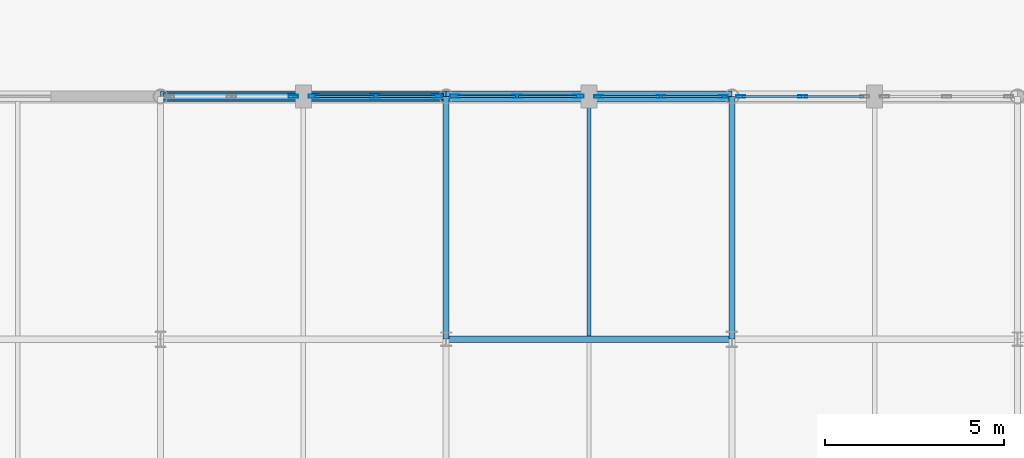
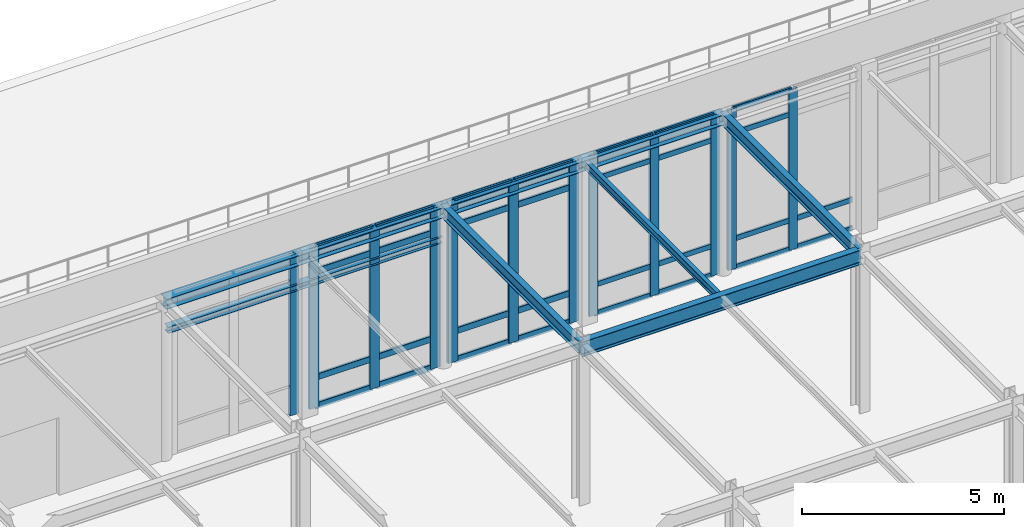
# One storey, part 47 of 113: 42 members, 7 beams, 5 elements without a shape of their own.
"""IFC4 building model written with IfcOpenShell, lengths in metres."""

from ifc_helpers import new_model, si_unit, direction, frame, origin, origin_2d, place, context, subcontext, project, spatial, hollow_rectangle, i_section, extrude, material, layer, layer_set, material_profile, profile_set, type_object, element, aggregate, save


model = new_model("IFC4")

# Units and contexts
model_context = context("Model", 3, precision=1e-05, world=origin(), true_north=direction((0.0, 1.0)))
body_context = subcontext(model_context, "Body", "Model", "MODEL_VIEW")
ifc_project = project(units=[si_unit("LENGTHUNIT", "METRE"), si_unit("AREAUNIT", "SQUARE_METRE"), si_unit("VOLUMEUNIT", "CUBIC_METRE"), si_unit("PLANEANGLEUNIT", "RADIAN"), si_unit("MASSUNIT", "GRAM", prefix="KILO")], contexts=[model_context])

# Site, building, storey
site_placement = place(None, origin())
site = spatial("IfcSite", under=ifc_project, at=site_placement, CompositionType="ELEMENT")
building_placement = place(site_placement, origin())
building = spatial("IfcBuilding", under=site, at=building_placement, Name="Shalkamar Park Central Library", CompositionType="ELEMENT")
storey_placement = place(building_placement, frame((0.0, 0.0, 5.39990234375)))
storey = spatial("IfcBuildingStorey", under=building, at=storey_placement, Name="L02", CompositionType="ELEMENT", Elevation=5.39990234375)

# Beam
ifc_material_1 = material(Name="Steel S355", Category="steel")
ifc_material_profile_1 = material_profile(ifc_material_1, i_section(OverallWidth=0.1201171875, OverallDepth=0.239990234375, WebThickness=0.006103515625, FlangeThickness=0.009765625, FilletRadius=0.014892578125, at=origin_2d()), Name="IPE 240")
ifc_profile_set_1 = profile_set([ifc_material_profile_1], Name="Steel S355")
beam_type_1 = type_object("IfcBeamType", Name="Composite Floor Joist IPE240", PredefinedType="JOIST", material=ifc_profile_set_1)
beam_1_placement = place(storey_placement, frame((193.0, 331.29296875, 4.72998046875), z_axis=(0.0, 1.0, 0.0), x_axis=(-1.0, 0.0, 0.0)))
element("IfcBeam", 1, at=beam_1_placement, inside=storey, type_object=beam_type_1, Name="Composite Joist 10/N-1 (L02)", PredefinedType="JOIST", context=body_context, shape_type="SweptSolid", body=[
    extrude(i_section(OverallWidth=0.1201171875, OverallDepth=0.239990234375, WebThickness=0.006103515625, FlangeThickness=0.009765625, FilletRadius=0.014892578125, at=origin_2d()), origin(), (0.0, 0.0, 1.0), 6.55908203125),
])

# Curtain wall, members
ifc_material_2 = material(Name="Thermally broken aluminium and triple low-e curtain wall", Category="aluminium")
ifc_layer_1 = layer(ifc_material_2, 0.25)
ifc_layer_set_1 = layer_set([ifc_layer_1], Name="UnitisedCurtainWall_28")
curtain_wall_type_1 = type_object("IfcCurtainWallType", Name="Unitised Curtain Wall 28", PredefinedType="USERDEFINED", material=ifc_layer_set_1)
curtain_wall_1_placement = place(storey_placement, origin())
curtain_wall_1 = element("IfcCurtainWall", 2, at=curtain_wall_1_placement, inside=storey, type_object=curtain_wall_type_1, Name="Unitised Curtain Wall CW-L02-031", ObjectType="UNITISED CURTAIN WALL", PredefinedType="USERDEFINED")
ifc_material_3 = material(Name="Aluminium 6060-T66", Category="aluminium")
ifc_material_profile_2 = material_profile(ifc_material_3, hollow_rectangle(XDim=0.074951171875, YDim=0.25, WallThickness=0.00390625, InnerFilletRadius=0.00390625, OuterFilletRadius=0.006103515625, at=origin_2d()), Name="ALU 75x250x4")
ifc_profile_set_2 = profile_set([ifc_material_profile_2], Name="Aluminium 6060-T66")
member_type_1 = type_object("IfcMemberType", Name="Curtain Wall Mullion ALU75x250", PredefinedType="MULLION", material=ifc_profile_set_2)
member_1_placement = place(storey_placement, frame((193.277587890625, 338.0, 0.0), z_axis=(0.0, 0.0, 1.0), x_axis=(0.0, 1.0, 0.0)))
member_1 = element("IfcMember", 3, at=member_1_placement, type_object=member_type_1, Name="CW-28 mullion 1", PredefinedType="MULLION", context=body_context, shape_type="SweptSolid", body=[
    extrude(hollow_rectangle(XDim=0.074951171875, YDim=0.25, WallThickness=0.00390625, InnerFilletRadius=0.00390625, OuterFilletRadius=0.006103515625, at=origin_2d()), origin(), (0.0, 0.0, 1.0), 4.85009765625),
])
member_2_placement = place(storey_placement, frame((195.016357421875, 338.0, 0.0), z_axis=(0.0, 0.0, 1.0), x_axis=(0.0, 1.0, 0.0)))
member_2 = element("IfcMember", 4, at=member_2_placement, type_object=member_type_1, Name="CW-28 mullion 2", PredefinedType="MULLION", context=body_context, shape_type="SweptSolid", body=[
    extrude(hollow_rectangle(XDim=0.074951171875, YDim=0.25, WallThickness=0.00390625, InnerFilletRadius=0.00390625, OuterFilletRadius=0.006103515625, at=origin_2d()), origin(), (0.0, 0.0, 1.0), 4.85009765625),
])
member_3_placement = place(storey_placement, frame((196.75537109375, 338.0, 0.0), z_axis=(0.0, 0.0, 1.0), x_axis=(0.0, 1.0, 0.0)))
member_3 = element("IfcMember", 5, at=member_3_placement, type_object=member_type_1, Name="CW-28 mullion 3", PredefinedType="MULLION", context=body_context, shape_type="SweptSolid", body=[
    extrude(hollow_rectangle(XDim=0.074951171875, YDim=0.25, WallThickness=0.00390625, InnerFilletRadius=0.00390625, OuterFilletRadius=0.006103515625, at=origin_2d()), origin(), (0.0, 0.0, 1.0), 4.85009765625),
])

curtain_wall_2_placement = place(storey_placement, origin())
curtain_wall_2 = element("IfcCurtainWall", 6, at=curtain_wall_2_placement, inside=storey, type_object=curtain_wall_type_1, Name="Unitised Curtain Wall CW-L02-032", ObjectType="UNITISED CURTAIN WALL", PredefinedType="USERDEFINED")
member_4_placement = place(storey_placement, frame((197.24462890625, 338.0, 0.0), z_axis=(0.0, 0.0, 1.0), x_axis=(0.0, 1.0, 0.0)))
member_4 = element("IfcMember", 7, at=member_4_placement, type_object=member_type_1, Name="CW-28 mullion 1", PredefinedType="MULLION", context=body_context, shape_type="SweptSolid", body=[
    extrude(hollow_rectangle(XDim=0.074951171875, YDim=0.25, WallThickness=0.00390625, InnerFilletRadius=0.00390625, OuterFilletRadius=0.006103515625, at=origin_2d()), origin(), (0.0, 0.0, 1.0), 4.85009765625),
])
member_5_placement = place(storey_placement, frame((198.983642578125, 338.0, 0.0), z_axis=(0.0, 0.0, 1.0), x_axis=(0.0, 1.0, 0.0)))
member_5 = element("IfcMember", 8, at=member_5_placement, type_object=member_type_1, Name="CW-28 mullion 2", PredefinedType="MULLION", context=body_context, shape_type="SweptSolid", body=[
    extrude(hollow_rectangle(XDim=0.074951171875, YDim=0.25, WallThickness=0.00390625, InnerFilletRadius=0.00390625, OuterFilletRadius=0.006103515625, at=origin_2d()), origin(), (0.0, 0.0, 1.0), 4.85009765625),
])

# Curtain wall, member
ifc_layer_2 = layer(ifc_material_2, 0.264892578125)
ifc_layer_set_2 = layer_set([ifc_layer_2], Name="UnitisedCurtainWall_26")
curtain_wall_type_2 = type_object("IfcCurtainWallType", Name="Unitised Curtain Wall 26", PredefinedType="USERDEFINED", material=ifc_layer_set_2)
curtain_wall_3_placement = place(storey_placement, origin())
curtain_wall_3 = element("IfcCurtainWall", 9, at=curtain_wall_3_placement, inside=storey, type_object=curtain_wall_type_2, Name="Unitised Curtain Wall CW-L02-028", ObjectType="UNITISED CURTAIN WALL", PredefinedType="USERDEFINED")
ifc_material_profile_3 = material_profile(ifc_material_3, hollow_rectangle(XDim=0.0849609375, YDim=0.264892578125, WallThickness=0.0048828125, InnerFilletRadius=0.0048828125, OuterFilletRadius=0.007568359375, at=origin_2d()), Name="ALU 85x265x5")
ifc_profile_set_3 = profile_set([ifc_material_profile_3], Name="Aluminium 6060-T66")
member_type_2 = type_object("IfcMemberType", Name="Curtain Wall Mullion ALU85x265", PredefinedType="MULLION", material=ifc_profile_set_3)
member_6_placement = place(storey_placement, frame((184.717529296875, 338.0, 0.0), z_axis=(0.0, 0.0, 1.0), x_axis=(0.0, 1.0, 0.0)))
member_6 = element("IfcMember", 10, at=member_6_placement, type_object=member_type_2, Name="CW-26 mullion 3", PredefinedType="MULLION", context=body_context, shape_type="SweptSolid", body=[
    extrude(hollow_rectangle(XDim=0.0849609375, YDim=0.264892578125, WallThickness=0.0048828125, InnerFilletRadius=0.0048828125, OuterFilletRadius=0.007568359375, at=origin_2d()), origin(), (0.0, 0.0, 1.0), 4.85009765625),
])
aggregate(curtain_wall_3, [member_6])

# Curtain wall, members
ifc_layer_3 = layer(ifc_material_2, 0.280029296875)
ifc_layer_set_3 = layer_set([ifc_layer_3], Name="UnitisedCurtainWall_27")
curtain_wall_type_3 = type_object("IfcCurtainWallType", Name="Unitised Curtain Wall 27", PredefinedType="USERDEFINED", material=ifc_layer_set_3)
curtain_wall_4_placement = place(storey_placement, origin())
curtain_wall_4 = element("IfcCurtainWall", 11, at=curtain_wall_4_placement, inside=storey, type_object=curtain_wall_type_3, Name="Unitised Curtain Wall CW-L02-029", ObjectType="UNITISED CURTAIN WALL", PredefinedType="USERDEFINED")
ifc_material_profile_4 = material_profile(ifc_material_3, hollow_rectangle(XDim=0.090087890625, YDim=0.280029296875, WallThickness=0.0048828125, InnerFilletRadius=0.0048828125, OuterFilletRadius=0.007568359375, at=origin_2d()), Name="ALU 90x280x5")
ifc_profile_set_4 = profile_set([ifc_material_profile_4], Name="Aluminium 6060-T66")
member_type_3 = type_object("IfcMemberType", Name="Curtain Wall Mullion ALU90x280", PredefinedType="MULLION", material=ifc_profile_set_4)
member_7_placement = place(storey_placement, frame((185.284912109375, 338.0, 0.0), z_axis=(0.0, 0.0, 1.0), x_axis=(0.0, 1.0, 0.0)))
member_7 = element("IfcMember", 12, at=member_7_placement, type_object=member_type_3, Name="CW-27 mullion 1", PredefinedType="MULLION", context=body_context, shape_type="SweptSolid", body=[
    extrude(hollow_rectangle(XDim=0.090087890625, YDim=0.280029296875, WallThickness=0.0048828125, InnerFilletRadius=0.0048828125, OuterFilletRadius=0.007568359375, at=origin_2d()), origin(), (0.0, 0.0, 1.0), 4.85009765625),
])
member_8_placement = place(storey_placement, frame((187.016357421875, 338.0, 0.0), z_axis=(0.0, 0.0, 1.0), x_axis=(0.0, 1.0, 0.0)))
member_8 = element("IfcMember", 13, at=member_8_placement, type_object=member_type_3, Name="CW-27 mullion 2", PredefinedType="MULLION", context=body_context, shape_type="SweptSolid", body=[
    extrude(hollow_rectangle(XDim=0.090087890625, YDim=0.280029296875, WallThickness=0.0048828125, InnerFilletRadius=0.0048828125, OuterFilletRadius=0.007568359375, at=origin_2d()), origin(), (0.0, 0.0, 1.0), 4.85009765625),
])
member_9_placement = place(storey_placement, frame((188.747802734375, 338.0, 0.0), z_axis=(0.0, 0.0, 1.0), x_axis=(0.0, 1.0, 0.0)))
member_9 = element("IfcMember", 14, at=member_9_placement, type_object=member_type_3, Name="CW-27 mullion 3", PredefinedType="MULLION", context=body_context, shape_type="SweptSolid", body=[
    extrude(hollow_rectangle(XDim=0.090087890625, YDim=0.280029296875, WallThickness=0.0048828125, InnerFilletRadius=0.0048828125, OuterFilletRadius=0.007568359375, at=origin_2d()), origin(), (0.0, 0.0, 1.0), 4.85009765625),
])

curtain_wall_5_placement = place(storey_placement, origin())
curtain_wall_5 = element("IfcCurtainWall", 15, at=curtain_wall_5_placement, inside=storey, type_object=curtain_wall_type_3, Name="Unitised Curtain Wall CW-L02-030", ObjectType="UNITISED CURTAIN WALL", PredefinedType="USERDEFINED")
member_10_placement = place(storey_placement, frame((189.252197265625, 338.0, 0.0), z_axis=(0.0, 0.0, 1.0), x_axis=(0.0, 1.0, 0.0)))
member_10 = element("IfcMember", 16, at=member_10_placement, type_object=member_type_3, Name="CW-27 mullion 1", PredefinedType="MULLION", context=body_context, shape_type="SweptSolid", body=[
    extrude(hollow_rectangle(XDim=0.090087890625, YDim=0.280029296875, WallThickness=0.0048828125, InnerFilletRadius=0.0048828125, OuterFilletRadius=0.007568359375, at=origin_2d()), origin(), (0.0, 0.0, 1.0), 4.85009765625),
])
member_11_placement = place(storey_placement, frame((190.983642578125, 338.0, 0.0), z_axis=(0.0, 0.0, 1.0), x_axis=(0.0, 1.0, 0.0)))
member_11 = element("IfcMember", 17, at=member_11_placement, type_object=member_type_3, Name="CW-27 mullion 2", PredefinedType="MULLION", context=body_context, shape_type="SweptSolid", body=[
    extrude(hollow_rectangle(XDim=0.090087890625, YDim=0.280029296875, WallThickness=0.0048828125, InnerFilletRadius=0.0048828125, OuterFilletRadius=0.007568359375, at=origin_2d()), origin(), (0.0, 0.0, 1.0), 4.85009765625),
])
member_12_placement = place(storey_placement, frame((192.715087890625, 338.0, 0.0), z_axis=(0.0, 0.0, 1.0), x_axis=(0.0, 1.0, 0.0)))
member_12 = element("IfcMember", 18, at=member_12_placement, type_object=member_type_3, Name="CW-27 mullion 3", PredefinedType="MULLION", context=body_context, shape_type="SweptSolid", body=[
    extrude(hollow_rectangle(XDim=0.090087890625, YDim=0.280029296875, WallThickness=0.0048828125, InnerFilletRadius=0.0048828125, OuterFilletRadius=0.007568359375, at=origin_2d()), origin(), (0.0, 0.0, 1.0), 4.85009765625),
])

# Member
ifc_material_profile_5 = material_profile(ifc_material_3, hollow_rectangle(XDim=0.06005859375, YDim=0.159912109375, WallThickness=0.00390625, InnerFilletRadius=0.00390625, OuterFilletRadius=0.006103515625, at=origin_2d()), Name="ALU 60x160x4")
ifc_profile_set_5 = profile_set([ifc_material_profile_5], Name="Aluminium 6060-T66")
member_type_4 = type_object("IfcMemberType", Name="Curtain Wall Transom ALU60x160", PredefinedType="USERDEFINED", material=ifc_profile_set_5)
member_13_placement = place(storey_placement, frame((193.31494140625, 338.0, 0.030029296875), z_axis=(1.0, 0.0, 0.0), x_axis=(0.0, 1.0, 0.0)))
member_13 = element("IfcMember", 19, at=member_13_placement, type_object=member_type_4, Name="CW-28 transom 1.1", ObjectType="TRANSOM", PredefinedType="USERDEFINED", context=body_context, shape_type="SweptSolid", body=[
    extrude(hollow_rectangle(XDim=0.06005859375, YDim=0.159912109375, WallThickness=0.00390625, InnerFilletRadius=0.00390625, OuterFilletRadius=0.006103515625, at=origin_2d()), origin(), (0.0, 0.0, 1.0), 1.6640625),
])

member_14_placement = place(storey_placement, frame((193.31494140625, 338.0, 0.900146484375), z_axis=(1.0, 0.0, 0.0), x_axis=(0.0, 1.0, 0.0)))
member_14 = element("IfcMember", 20, at=member_14_placement, type_object=member_type_4, Name="CW-28 transom 1.2", ObjectType="TRANSOM", PredefinedType="USERDEFINED", context=body_context, shape_type="SweptSolid", body=[
    extrude(hollow_rectangle(XDim=0.06005859375, YDim=0.159912109375, WallThickness=0.00390625, InnerFilletRadius=0.00390625, OuterFilletRadius=0.006103515625, at=origin_2d()), origin(), (0.0, 0.0, 1.0), 1.6640625),
])

member_15_placement = place(storey_placement, frame((193.31494140625, 338.0, 4.10009765625), z_axis=(1.0, 0.0, 0.0), x_axis=(0.0, 1.0, 0.0)))
member_15 = element("IfcMember", 21, at=member_15_placement, type_object=member_type_4, Name="CW-28 transom 1.3", ObjectType="TRANSOM", PredefinedType="USERDEFINED", context=body_context, shape_type="SweptSolid", body=[
    extrude(hollow_rectangle(XDim=0.06005859375, YDim=0.159912109375, WallThickness=0.00390625, InnerFilletRadius=0.00390625, OuterFilletRadius=0.006103515625, at=origin_2d()), origin(), (0.0, 0.0, 1.0), 1.6640625),
])

member_16_placement = place(storey_placement, frame((193.31494140625, 338.0, 4.820068359375), z_axis=(1.0, 0.0, 0.0), x_axis=(0.0, 1.0, 0.0)))
member_16 = element("IfcMember", 22, at=member_16_placement, type_object=member_type_4, Name="CW-28 transom 1.4", ObjectType="TRANSOM", PredefinedType="USERDEFINED", context=body_context, shape_type="SweptSolid", body=[
    extrude(hollow_rectangle(XDim=0.06005859375, YDim=0.159912109375, WallThickness=0.00390625, InnerFilletRadius=0.00390625, OuterFilletRadius=0.006103515625, at=origin_2d()), origin(), (0.0, 0.0, 1.0), 1.6640625),
])

member_17_placement = place(storey_placement, frame((195.053955078125, 338.0, 0.030029296875), z_axis=(1.0, 0.0, 0.0), x_axis=(0.0, 1.0, 0.0)))
member_17 = element("IfcMember", 23, at=member_17_placement, type_object=member_type_4, Name="CW-28 transom 2.1", ObjectType="TRANSOM", PredefinedType="USERDEFINED", context=body_context, shape_type="SweptSolid", body=[
    extrude(hollow_rectangle(XDim=0.06005859375, YDim=0.159912109375, WallThickness=0.00390625, InnerFilletRadius=0.00390625, OuterFilletRadius=0.006103515625, at=origin_2d()), origin(), (0.0, 0.0, 1.0), 1.663818359375),
])

member_18_placement = place(storey_placement, frame((195.053955078125, 338.0, 0.900146484375), z_axis=(1.0, 0.0, 0.0), x_axis=(0.0, 1.0, 0.0)))
member_18 = element("IfcMember", 24, at=member_18_placement, type_object=member_type_4, Name="CW-28 transom 2.2", ObjectType="TRANSOM", PredefinedType="USERDEFINED", context=body_context, shape_type="SweptSolid", body=[
    extrude(hollow_rectangle(XDim=0.06005859375, YDim=0.159912109375, WallThickness=0.00390625, InnerFilletRadius=0.00390625, OuterFilletRadius=0.006103515625, at=origin_2d()), origin(), (0.0, 0.0, 1.0), 1.663818359375),
])

member_19_placement = place(storey_placement, frame((195.053955078125, 338.0, 4.10009765625), z_axis=(1.0, 0.0, 0.0), x_axis=(0.0, 1.0, 0.0)))
member_19 = element("IfcMember", 25, at=member_19_placement, type_object=member_type_4, Name="CW-28 transom 2.3", ObjectType="TRANSOM", PredefinedType="USERDEFINED", context=body_context, shape_type="SweptSolid", body=[
    extrude(hollow_rectangle(XDim=0.06005859375, YDim=0.159912109375, WallThickness=0.00390625, InnerFilletRadius=0.00390625, OuterFilletRadius=0.006103515625, at=origin_2d()), origin(), (0.0, 0.0, 1.0), 1.663818359375),
])

member_20_placement = place(storey_placement, frame((195.053955078125, 338.0, 4.820068359375), z_axis=(1.0, 0.0, 0.0), x_axis=(0.0, 1.0, 0.0)))
member_20 = element("IfcMember", 26, at=member_20_placement, type_object=member_type_4, Name="CW-28 transom 2.4", ObjectType="TRANSOM", PredefinedType="USERDEFINED", context=body_context, shape_type="SweptSolid", body=[
    extrude(hollow_rectangle(XDim=0.06005859375, YDim=0.159912109375, WallThickness=0.00390625, InnerFilletRadius=0.00390625, OuterFilletRadius=0.006103515625, at=origin_2d()), origin(), (0.0, 0.0, 1.0), 1.663818359375),
])

aggregate(curtain_wall_1, [member_1, member_2, member_3, member_13, member_14, member_15, member_16, member_17, member_18, member_19, member_20])

member_21_placement = place(storey_placement, frame((197.2822265625, 338.0, 0.030029296875), z_axis=(1.0, 0.0, 0.0), x_axis=(0.0, 1.0, 0.0)))
member_21 = element("IfcMember", 27, at=member_21_placement, type_object=member_type_4, Name="CW-28 transom 1.1", ObjectType="TRANSOM", PredefinedType="USERDEFINED", context=body_context, shape_type="SweptSolid", body=[
    extrude(hollow_rectangle(XDim=0.06005859375, YDim=0.159912109375, WallThickness=0.00390625, InnerFilletRadius=0.00390625, OuterFilletRadius=0.006103515625, at=origin_2d()), origin(), (0.0, 0.0, 1.0), 1.663818359375),
])

member_22_placement = place(storey_placement, frame((197.2822265625, 338.0, 0.900146484375), z_axis=(1.0, 0.0, 0.0), x_axis=(0.0, 1.0, 0.0)))
member_22 = element("IfcMember", 28, at=member_22_placement, type_object=member_type_4, Name="CW-28 transom 1.2", ObjectType="TRANSOM", PredefinedType="USERDEFINED", context=body_context, shape_type="SweptSolid", body=[
    extrude(hollow_rectangle(XDim=0.06005859375, YDim=0.159912109375, WallThickness=0.00390625, InnerFilletRadius=0.00390625, OuterFilletRadius=0.006103515625, at=origin_2d()), origin(), (0.0, 0.0, 1.0), 1.663818359375),
])

member_23_placement = place(storey_placement, frame((197.2822265625, 338.0, 4.10009765625), z_axis=(1.0, 0.0, 0.0), x_axis=(0.0, 1.0, 0.0)))
member_23 = element("IfcMember", 29, at=member_23_placement, type_object=member_type_4, Name="CW-28 transom 1.3", ObjectType="TRANSOM", PredefinedType="USERDEFINED", context=body_context, shape_type="SweptSolid", body=[
    extrude(hollow_rectangle(XDim=0.06005859375, YDim=0.159912109375, WallThickness=0.00390625, InnerFilletRadius=0.00390625, OuterFilletRadius=0.006103515625, at=origin_2d()), origin(), (0.0, 0.0, 1.0), 1.663818359375),
])

member_24_placement = place(storey_placement, frame((197.2822265625, 338.0, 4.820068359375), z_axis=(1.0, 0.0, 0.0), x_axis=(0.0, 1.0, 0.0)))
member_24 = element("IfcMember", 30, at=member_24_placement, type_object=member_type_4, Name="CW-28 transom 1.4", ObjectType="TRANSOM", PredefinedType="USERDEFINED", context=body_context, shape_type="SweptSolid", body=[
    extrude(hollow_rectangle(XDim=0.06005859375, YDim=0.159912109375, WallThickness=0.00390625, InnerFilletRadius=0.00390625, OuterFilletRadius=0.006103515625, at=origin_2d()), origin(), (0.0, 0.0, 1.0), 1.663818359375),
])

member_25_placement = place(storey_placement, frame((199.02099609375, 338.0, 0.030029296875), z_axis=(1.0, 0.0, 0.0), x_axis=(0.0, 1.0, 0.0)))
member_25 = element("IfcMember", 31, at=member_25_placement, type_object=member_type_4, Name="CW-28 transom 2.1", ObjectType="TRANSOM", PredefinedType="USERDEFINED", context=body_context, shape_type="SweptSolid", body=[
    extrude(hollow_rectangle(XDim=0.06005859375, YDim=0.159912109375, WallThickness=0.00390625, InnerFilletRadius=0.00390625, OuterFilletRadius=0.006103515625, at=origin_2d()), origin(), (0.0, 0.0, 1.0), 1.6640625),
])

member_26_placement = place(storey_placement, frame((199.02099609375, 338.0, 0.900146484375), z_axis=(1.0, 0.0, 0.0), x_axis=(0.0, 1.0, 0.0)))
member_26 = element("IfcMember", 32, at=member_26_placement, type_object=member_type_4, Name="CW-28 transom 2.2", ObjectType="TRANSOM", PredefinedType="USERDEFINED", context=body_context, shape_type="SweptSolid", body=[
    extrude(hollow_rectangle(XDim=0.06005859375, YDim=0.159912109375, WallThickness=0.00390625, InnerFilletRadius=0.00390625, OuterFilletRadius=0.006103515625, at=origin_2d()), origin(), (0.0, 0.0, 1.0), 1.6640625),
])

aggregate(curtain_wall_2, [member_4, member_5, member_21, member_22, member_23, member_24, member_25, member_26])

ifc_material_profile_6 = material_profile(ifc_material_3, hollow_rectangle(XDim=0.070068359375, YDim=0.18994140625, WallThickness=0.0048828125, InnerFilletRadius=0.0048828125, OuterFilletRadius=0.007568359375, at=origin_2d()), Name="ALU 70x190x5")
ifc_profile_set_6 = profile_set([ifc_material_profile_6], Name="Aluminium 6060-T66")
member_type_5 = type_object("IfcMemberType", Name="Curtain Wall Transom ALU70x190", PredefinedType="USERDEFINED", material=ifc_profile_set_6)
member_27_placement = place(storey_placement, frame((185.330078125, 338.0, 0.03515625), z_axis=(1.0, 0.0, 0.0), x_axis=(0.0, 1.0, 0.0)))
member_27 = element("IfcMember", 33, at=member_27_placement, type_object=member_type_5, Name="CW-27 transom 1.1", ObjectType="TRANSOM", PredefinedType="USERDEFINED", context=body_context, shape_type="SweptSolid", body=[
    extrude(hollow_rectangle(XDim=0.070068359375, YDim=0.18994140625, WallThickness=0.0048828125, InnerFilletRadius=0.0048828125, OuterFilletRadius=0.007568359375, at=origin_2d()), origin(), (0.0, 0.0, 1.0), 1.641357421875),
])

member_28_placement = place(storey_placement, frame((185.330078125, 338.0, 0.900146484375), z_axis=(1.0, 0.0, 0.0), x_axis=(0.0, 1.0, 0.0)))
member_28 = element("IfcMember", 34, at=member_28_placement, type_object=member_type_5, Name="CW-27 transom 1.2", ObjectType="TRANSOM", PredefinedType="USERDEFINED", context=body_context, shape_type="SweptSolid", body=[
    extrude(hollow_rectangle(XDim=0.070068359375, YDim=0.18994140625, WallThickness=0.0048828125, InnerFilletRadius=0.0048828125, OuterFilletRadius=0.007568359375, at=origin_2d()), origin(), (0.0, 0.0, 1.0), 1.641357421875),
])

member_29_placement = place(storey_placement, frame((185.330078125, 338.0, 4.10009765625), z_axis=(1.0, 0.0, 0.0), x_axis=(0.0, 1.0, 0.0)))
member_29 = element("IfcMember", 35, at=member_29_placement, type_object=member_type_5, Name="CW-27 transom 1.3", ObjectType="TRANSOM", PredefinedType="USERDEFINED", context=body_context, shape_type="SweptSolid", body=[
    extrude(hollow_rectangle(XDim=0.070068359375, YDim=0.18994140625, WallThickness=0.0048828125, InnerFilletRadius=0.0048828125, OuterFilletRadius=0.007568359375, at=origin_2d()), origin(), (0.0, 0.0, 1.0), 1.641357421875),
])

member_30_placement = place(storey_placement, frame((185.330078125, 338.0, 4.815185546875), z_axis=(1.0, 0.0, 0.0), x_axis=(0.0, 1.0, 0.0)))
member_30 = element("IfcMember", 36, at=member_30_placement, type_object=member_type_5, Name="CW-27 transom 1.4", ObjectType="TRANSOM", PredefinedType="USERDEFINED", context=body_context, shape_type="SweptSolid", body=[
    extrude(hollow_rectangle(XDim=0.070068359375, YDim=0.18994140625, WallThickness=0.0048828125, InnerFilletRadius=0.0048828125, OuterFilletRadius=0.007568359375, at=origin_2d()), origin(), (0.0, 0.0, 1.0), 1.641357421875),
])

member_31_placement = place(storey_placement, frame((187.061279296875, 338.0, 0.03515625), z_axis=(1.0, 0.0, 0.0), x_axis=(0.0, 1.0, 0.0)))
member_31 = element("IfcMember", 37, at=member_31_placement, type_object=member_type_5, Name="CW-27 transom 2.1", ObjectType="TRANSOM", PredefinedType="USERDEFINED", context=body_context, shape_type="SweptSolid", body=[
    extrude(hollow_rectangle(XDim=0.070068359375, YDim=0.18994140625, WallThickness=0.0048828125, InnerFilletRadius=0.0048828125, OuterFilletRadius=0.007568359375, at=origin_2d()), origin(), (0.0, 0.0, 1.0), 1.6416015625),
])

member_32_placement = place(storey_placement, frame((187.061279296875, 338.0, 0.900146484375), z_axis=(1.0, 0.0, 0.0), x_axis=(0.0, 1.0, 0.0)))
member_32 = element("IfcMember", 38, at=member_32_placement, type_object=member_type_5, Name="CW-27 transom 2.2", ObjectType="TRANSOM", PredefinedType="USERDEFINED", context=body_context, shape_type="SweptSolid", body=[
    extrude(hollow_rectangle(XDim=0.070068359375, YDim=0.18994140625, WallThickness=0.0048828125, InnerFilletRadius=0.0048828125, OuterFilletRadius=0.007568359375, at=origin_2d()), origin(), (0.0, 0.0, 1.0), 1.6416015625),
])

member_33_placement = place(storey_placement, frame((187.061279296875, 338.0, 4.10009765625), z_axis=(1.0, 0.0, 0.0), x_axis=(0.0, 1.0, 0.0)))
member_33 = element("IfcMember", 39, at=member_33_placement, type_object=member_type_5, Name="CW-27 transom 2.3", ObjectType="TRANSOM", PredefinedType="USERDEFINED", context=body_context, shape_type="SweptSolid", body=[
    extrude(hollow_rectangle(XDim=0.070068359375, YDim=0.18994140625, WallThickness=0.0048828125, InnerFilletRadius=0.0048828125, OuterFilletRadius=0.007568359375, at=origin_2d()), origin(), (0.0, 0.0, 1.0), 1.6416015625),
])

member_34_placement = place(storey_placement, frame((187.061279296875, 338.0, 4.815185546875), z_axis=(1.0, 0.0, 0.0), x_axis=(0.0, 1.0, 0.0)))
member_34 = element("IfcMember", 40, at=member_34_placement, type_object=member_type_5, Name="CW-27 transom 2.4", ObjectType="TRANSOM", PredefinedType="USERDEFINED", context=body_context, shape_type="SweptSolid", body=[
    extrude(hollow_rectangle(XDim=0.070068359375, YDim=0.18994140625, WallThickness=0.0048828125, InnerFilletRadius=0.0048828125, OuterFilletRadius=0.007568359375, at=origin_2d()), origin(), (0.0, 0.0, 1.0), 1.6416015625),
])

aggregate(curtain_wall_4, [member_7, member_8, member_9, member_27, member_28, member_29, member_30, member_31, member_32, member_33, member_34])

member_35_placement = place(storey_placement, frame((189.297119140625, 338.0, 0.03515625), z_axis=(1.0, 0.0, 0.0), x_axis=(0.0, 1.0, 0.0)))
member_35 = element("IfcMember", 41, at=member_35_placement, type_object=member_type_5, Name="CW-27 transom 1.1", ObjectType="TRANSOM", PredefinedType="USERDEFINED", context=body_context, shape_type="SweptSolid", body=[
    extrude(hollow_rectangle(XDim=0.070068359375, YDim=0.18994140625, WallThickness=0.0048828125, InnerFilletRadius=0.0048828125, OuterFilletRadius=0.007568359375, at=origin_2d()), origin(), (0.0, 0.0, 1.0), 1.6416015625),
])

member_36_placement = place(storey_placement, frame((189.297119140625, 338.0, 0.900146484375), z_axis=(1.0, 0.0, 0.0), x_axis=(0.0, 1.0, 0.0)))
member_36 = element("IfcMember", 42, at=member_36_placement, type_object=member_type_5, Name="CW-27 transom 1.2", ObjectType="TRANSOM", PredefinedType="USERDEFINED", context=body_context, shape_type="SweptSolid", body=[
    extrude(hollow_rectangle(XDim=0.070068359375, YDim=0.18994140625, WallThickness=0.0048828125, InnerFilletRadius=0.0048828125, OuterFilletRadius=0.007568359375, at=origin_2d()), origin(), (0.0, 0.0, 1.0), 1.6416015625),
])

member_37_placement = place(storey_placement, frame((189.297119140625, 338.0, 4.10009765625), z_axis=(1.0, 0.0, 0.0), x_axis=(0.0, 1.0, 0.0)))
member_37 = element("IfcMember", 43, at=member_37_placement, type_object=member_type_5, Name="CW-27 transom 1.3", ObjectType="TRANSOM", PredefinedType="USERDEFINED", context=body_context, shape_type="SweptSolid", body=[
    extrude(hollow_rectangle(XDim=0.070068359375, YDim=0.18994140625, WallThickness=0.0048828125, InnerFilletRadius=0.0048828125, OuterFilletRadius=0.007568359375, at=origin_2d()), origin(), (0.0, 0.0, 1.0), 1.6416015625),
])

member_38_placement = place(storey_placement, frame((189.297119140625, 338.0, 4.815185546875), z_axis=(1.0, 0.0, 0.0), x_axis=(0.0, 1.0, 0.0)))
member_38 = element("IfcMember", 44, at=member_38_placement, type_object=member_type_5, Name="CW-27 transom 1.4", ObjectType="TRANSOM", PredefinedType="USERDEFINED", context=body_context, shape_type="SweptSolid", body=[
    extrude(hollow_rectangle(XDim=0.070068359375, YDim=0.18994140625, WallThickness=0.0048828125, InnerFilletRadius=0.0048828125, OuterFilletRadius=0.007568359375, at=origin_2d()), origin(), (0.0, 0.0, 1.0), 1.6416015625),
])

member_39_placement = place(storey_placement, frame((191.028564453125, 338.0, 0.03515625), z_axis=(1.0, 0.0, 0.0), x_axis=(0.0, 1.0, 0.0)))
member_39 = element("IfcMember", 45, at=member_39_placement, type_object=member_type_5, Name="CW-27 transom 2.1", ObjectType="TRANSOM", PredefinedType="USERDEFINED", context=body_context, shape_type="SweptSolid", body=[
    extrude(hollow_rectangle(XDim=0.070068359375, YDim=0.18994140625, WallThickness=0.0048828125, InnerFilletRadius=0.0048828125, OuterFilletRadius=0.007568359375, at=origin_2d()), origin(), (0.0, 0.0, 1.0), 1.641357421875),
])

member_40_placement = place(storey_placement, frame((191.028564453125, 338.0, 0.900146484375), z_axis=(1.0, 0.0, 0.0), x_axis=(0.0, 1.0, 0.0)))
member_40 = element("IfcMember", 46, at=member_40_placement, type_object=member_type_5, Name="CW-27 transom 2.2", ObjectType="TRANSOM", PredefinedType="USERDEFINED", context=body_context, shape_type="SweptSolid", body=[
    extrude(hollow_rectangle(XDim=0.070068359375, YDim=0.18994140625, WallThickness=0.0048828125, InnerFilletRadius=0.0048828125, OuterFilletRadius=0.007568359375, at=origin_2d()), origin(), (0.0, 0.0, 1.0), 1.641357421875),
])

member_41_placement = place(storey_placement, frame((191.028564453125, 338.0, 4.10009765625), z_axis=(1.0, 0.0, 0.0), x_axis=(0.0, 1.0, 0.0)))
member_41 = element("IfcMember", 47, at=member_41_placement, type_object=member_type_5, Name="CW-27 transom 2.3", ObjectType="TRANSOM", PredefinedType="USERDEFINED", context=body_context, shape_type="SweptSolid", body=[
    extrude(hollow_rectangle(XDim=0.070068359375, YDim=0.18994140625, WallThickness=0.0048828125, InnerFilletRadius=0.0048828125, OuterFilletRadius=0.007568359375, at=origin_2d()), origin(), (0.0, 0.0, 1.0), 1.641357421875),
])

member_42_placement = place(storey_placement, frame((191.028564453125, 338.0, 4.815185546875), z_axis=(1.0, 0.0, 0.0), x_axis=(0.0, 1.0, 0.0)))
member_42 = element("IfcMember", 48, at=member_42_placement, type_object=member_type_5, Name="CW-27 transom 2.4", ObjectType="TRANSOM", PredefinedType="USERDEFINED", context=body_context, shape_type="SweptSolid", body=[
    extrude(hollow_rectangle(XDim=0.070068359375, YDim=0.18994140625, WallThickness=0.0048828125, InnerFilletRadius=0.0048828125, OuterFilletRadius=0.007568359375, at=origin_2d()), origin(), (0.0, 0.0, 1.0), 1.641357421875),
])

aggregate(curtain_wall_5, [member_10, member_11, member_12, member_35, member_36, member_37, member_38, member_39, member_40, member_41, member_42])

# Beams
ifc_material_profile_7 = material_profile(ifc_material_1, i_section(OverallWidth=0.199951171875, OverallDepth=0.18994140625, WebThickness=0.006591796875, FlangeThickness=0.010009765625, FilletRadius=0.01806640625, at=origin_2d()), Name="HEA 200")
ifc_profile_set_7 = profile_set([ifc_material_profile_7], Name="Steel S355")
beam_type_2 = type_object("IfcBeamType", Name="Opening Lintel Beam HEA200", PredefinedType="LINTEL", material=ifc_profile_set_7)
beam_2_placement = place(storey_placement, frame((181.080078125, 338.0, 3.85009765625), z_axis=(1.0, 0.0, 0.0), x_axis=(0.0, 1.0, 0.0)))
element("IfcBeam", 49, at=beam_2_placement, inside=storey, type_object=beam_type_2, Name="Opening Lintel L02-27", PredefinedType="LINTEL", context=body_context, shape_type="SweptSolid", body=[
    extrude(i_section(OverallWidth=0.199951171875, OverallDepth=0.18994140625, WebThickness=0.006591796875, FlangeThickness=0.010009765625, FilletRadius=0.01806640625, at=origin_2d()), origin(), (0.0, 0.0, 1.0), 7.83984375),
])
ifc_material_profile_8 = material_profile(ifc_material_1, i_section(OverallWidth=0.300048828125, OverallDepth=0.31005859375, WebThickness=0.009033203125, FlangeThickness=0.015380859375, FilletRadius=0.027099609375, at=origin_2d()), Name="HEA 320")
ifc_profile_set_8 = profile_set([ifc_material_profile_8], Name="Steel S355")
beam_type_3 = type_object("IfcBeamType", Name="Perimeter Spandrel Beam HEA320", PredefinedType="SPANDREL", material=ifc_profile_set_8)
for number, where, z_axis, x_axis, name in (
    (50, (181.0, 338.0, 4.695068359375), (1.0, 0.0, 0.0), (0.0, 1.0, 0.0), "Beam P:09-10 (L02)"),
    (51, (189.0, 338.0, 4.695068359375), (1.0, 0.0, 0.0), (0.0, 1.0, 0.0), "Beam P:10-11 (L02)"),
):
    element("IfcBeam", number, at=place(storey_placement, frame(where, z_axis=z_axis, x_axis=x_axis)), inside=storey, type_object=beam_type_3, Name=name, PredefinedType="SPANDREL", context=body_context, shape_type="SweptSolid", body=[
        extrude(i_section(OverallWidth=0.300048828125, OverallDepth=0.31005859375, WebThickness=0.009033203125, FlangeThickness=0.015380859375, FilletRadius=0.027099609375, at=origin_2d()), origin(), (0.0, 0.0, 1.0), 8.0),
    ])
ifc_material_profile_9 = material_profile(ifc_material_1, i_section(OverallWidth=0.169921875, OverallDepth=0.360107421875, WebThickness=0.008056640625, FlangeThickness=0.0126953125, FilletRadius=0.01806640625, at=origin_2d()), Name="IPE 360")
ifc_profile_set_9 = profile_set([ifc_material_profile_9], Name="Steel S355")
beam_type_4 = type_object("IfcBeamType", Name="Primary Girder IPE360", PredefinedType="BEAM", material=ifc_profile_set_9)
for number, where, z_axis, x_axis, name in (
    (52, (189.0, 331.199951171875, 4.670166015625), (0.0, 1.0, 0.0), (-1.0, 0.0, 0.0), "Beam 10:N-P (L02)"),
    (53, (197.0, 331.199951171875, 4.670166015625), (0.0, 1.0, 0.0), (-1.0, 0.0, 0.0), "Beam 11:N-P (L02)"),
):
    element("IfcBeam", number, at=place(storey_placement, frame(where, z_axis=z_axis, x_axis=x_axis)), inside=storey, type_object=beam_type_4, Name=name, PredefinedType="BEAM", context=body_context, shape_type="SweptSolid", body=[
        extrude(i_section(OverallWidth=0.169921875, OverallDepth=0.360107421875, WebThickness=0.008056640625, FlangeThickness=0.0126953125, FilletRadius=0.01806640625, at=origin_2d()), origin(), (0.0, 0.0, 1.0), 6.800048828125),
    ])
ifc_material_profile_10 = material_profile(ifc_material_1, i_section(OverallWidth=0.18994140625, OverallDepth=0.449951171875, WebThickness=0.009521484375, FlangeThickness=0.0146484375, FilletRadius=0.02099609375, at=origin_2d()), Name="IPE 450")
ifc_profile_set_10 = profile_set([ifc_material_profile_10], Name="Steel S355")
beam_type_5 = type_object("IfcBeamType", Name="Primary Girder IPE450", PredefinedType="BEAM", material=ifc_profile_set_10)
beam_3_placement = place(storey_placement, frame((189.0, 331.199951171875, 4.625), z_axis=(1.0, 0.0, 0.0), x_axis=(0.0, 1.0, 0.0)))
element("IfcBeam", 54, at=beam_3_placement, inside=storey, type_object=beam_type_5, Name="Beam N:10-11 (L02)", PredefinedType="BEAM", context=body_context, shape_type="SweptSolid", body=[
    extrude(i_section(OverallWidth=0.18994140625, OverallDepth=0.449951171875, WebThickness=0.009521484375, FlangeThickness=0.0146484375, FilletRadius=0.02099609375, at=origin_2d()), origin(), (0.0, 0.0, 1.0), 8.0),
])

save(model, "model.ifc")
